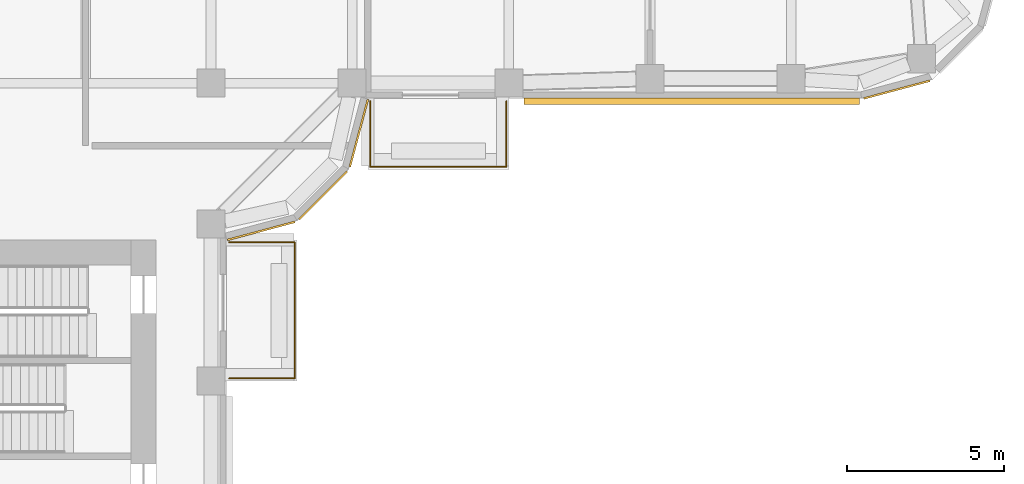
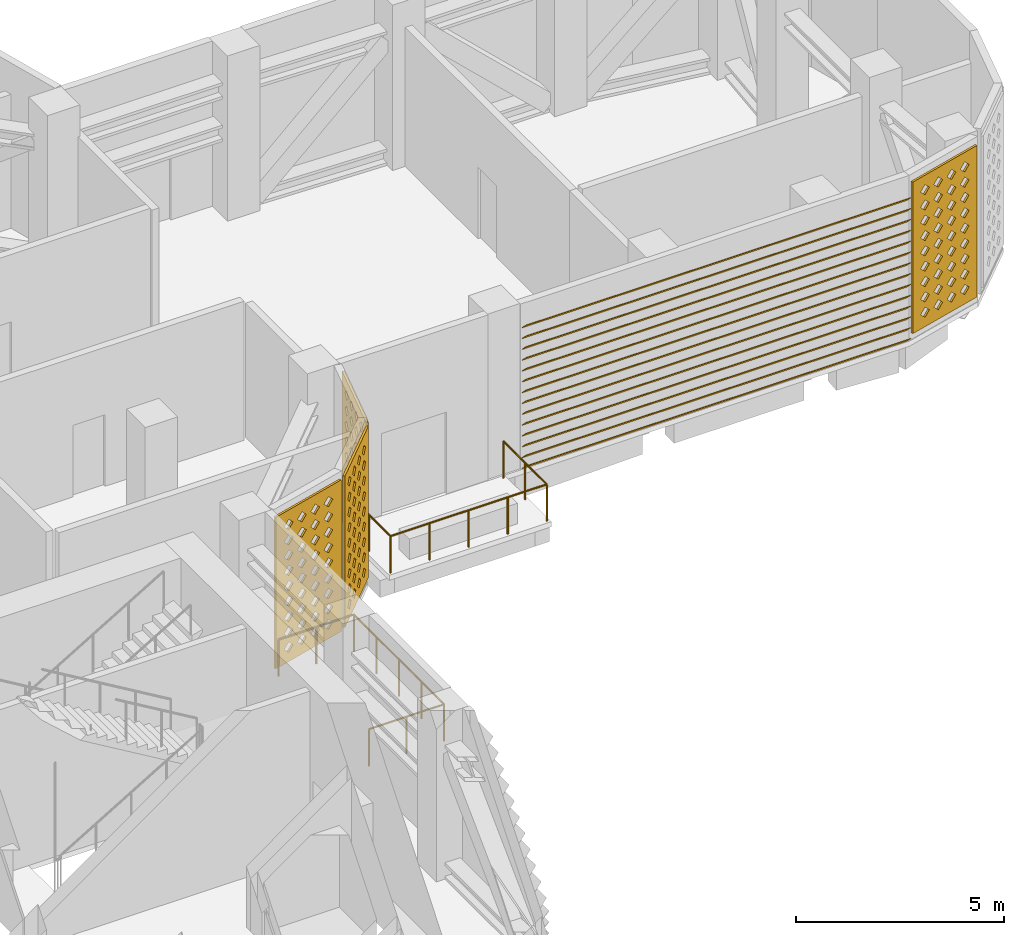
# One storey, part 13 of 20: 4 coverings, 2 railings, 1 shading device.
"""IFC4 building model written with IfcOpenShell, lengths in metres."""

from ifc_helpers import new_model, si_unit, direction, frame, origin, origin_2d, place, context, subcontext, project, spatial, polyline, circle, outline, extrude, source, transform, mapped, material, layer, layer_set, type_object, element, save


model = new_model("IFC4")

# Units and contexts
model_context = context("Model", 3, precision=1e-05, world=origin(), true_north=direction((0.0, 1.0)))
body_context = subcontext(model_context, "Body", "Model", "MODEL_VIEW")
ifc_project = project(units=[si_unit("LENGTHUNIT", "METRE"), si_unit("AREAUNIT", "SQUARE_METRE"), si_unit("VOLUMEUNIT", "CUBIC_METRE"), si_unit("PLANEANGLEUNIT", "RADIAN"), si_unit("MASSUNIT", "GRAM", prefix="KILO")], contexts=[model_context])

# Site, building, storey
site_placement = place(None, origin())
site = spatial("IfcSite", under=ifc_project, at=site_placement, CompositionType="ELEMENT")
building_placement = place(site_placement, origin())
building = spatial("IfcBuilding", under=site, at=building_placement, Name="Zarbagh Exchange Tower", CompositionType="ELEMENT")
storey_placement = place(building_placement, frame((0.0, 0.0, 136.0)))
storey = spatial("IfcBuildingStorey", under=building, at=storey_placement, Name="L32", CompositionType="ELEMENT", Elevation=136.0)

# Railings
ifc_material_1 = material(Name="Stainless steel and laminated glass", Category="steel")
railing_type = type_object("IfcRailingType", Name="Terrace guard, glass balustrade 1.1 m", PredefinedType="GUARDRAIL", material=ifc_material_1)
railing_1_placement = place(storey_placement, frame((6.830078125, -11.330078125, 0.0)))
element("IfcRailing", 1, at=railing_1_placement, inside=storey, type_object=railing_type, Name="TG01 terrace guard", PredefinedType="GUARDRAIL", context=body_context, shape_type="SweptSolid", body=[
    extrude(circle(Radius=0.02490234375, at=origin_2d()), frame((0.0, 0.0, 1.0751953125), z_axis=(1.0, 0.0, 0.0), x_axis=(0.0, 1.0, 0.0)), (0.0, 0.0, 1.0), 2.08984375),
    extrude(circle(Radius=0.02490234375, at=origin_2d()), frame((2.08984375, 0.0, 1.0751953125), z_axis=(0.0, -1.0, 0.0), x_axis=(1.0, 0.0, 0.0)), (0.0, 0.0, 1.0), 4.33984375),
    extrude(circle(Radius=0.02490234375, at=origin_2d()), frame((2.08984375, -4.33984375, 1.0751953125), z_axis=(-1.0, 0.0, 0.0), x_axis=(0.0, -1.0, 0.0)), (0.0, 0.0, 1.0), 2.08984375),
    extrude(circle(Radius=0.02490234375, at=origin_2d()), origin(), (0.0, 0.0, 1.0), 1.050048828125),
    extrude(circle(Radius=0.02490234375, at=origin_2d()), frame((1.044921875, 0.0, 0.0)), (0.0, 0.0, 1.0), 1.050048828125),
    extrude(circle(Radius=0.02490234375, at=origin_2d()), frame((2.08984375, 0.0, 0.0)), (0.0, 0.0, 1.0), 1.050048828125),
    extrude(circle(Radius=0.02490234375, at=origin_2d()), frame((2.08984375, -1.0849609375, 0.0)), (0.0, 0.0, 1.0), 1.050048828125),
    extrude(circle(Radius=0.02490234375, at=origin_2d()), frame((2.08984375, -2.169921875, 0.0)), (0.0, 0.0, 1.0), 1.050048828125),
    extrude(circle(Radius=0.02490234375, at=origin_2d()), frame((2.08984375, -3.2548828125, 0.0)), (0.0, 0.0, 1.0), 1.050048828125),
    extrude(circle(Radius=0.02490234375, at=origin_2d()), frame((2.08984375, -4.33984375, 0.0)), (0.0, 0.0, 1.0), 1.050048828125),
    extrude(circle(Radius=0.02490234375, at=origin_2d()), frame((1.044921875, -4.33984375, 0.0)), (0.0, 0.0, 1.0), 1.050048828125),
    extrude(circle(Radius=0.02490234375, at=origin_2d()), frame((0.0, -4.33984375, 0.0)), (0.0, 0.0, 1.0), 1.050048828125),
])
railing_2_placement = place(storey_placement, frame((15.669921875, -6.830078125, 0.0)))
element("IfcRailing", 2, at=railing_2_placement, inside=storey, type_object=railing_type, Name="TG01 terrace guard", PredefinedType="GUARDRAIL", context=body_context, shape_type="SweptSolid", body=[
    extrude(circle(Radius=0.02490234375, at=origin_2d()), frame((0.0, 0.0, 1.0751953125), z_axis=(0.0, -1.0, 0.0), x_axis=(1.0, 0.0, 0.0)), (0.0, 0.0, 1.0), 2.08984375),
    extrude(circle(Radius=0.02490234375, at=origin_2d()), frame((0.0, -2.08984375, 1.0751953125), z_axis=(-1.0, 0.0, 0.0), x_axis=(0.0, -1.0, 0.0)), (0.0, 0.0, 1.0), 4.33984375),
    extrude(circle(Radius=0.02490234375, at=origin_2d()), frame((-4.33984375, -2.08984375, 1.0751953125), z_axis=(0.0, 1.0, 0.0), x_axis=(-1.0, 0.0, 0.0)), (0.0, 0.0, 1.0), 2.08984375),
    extrude(circle(Radius=0.02490234375, at=origin_2d()), origin(), (0.0, 0.0, 1.0), 1.050048828125),
    extrude(circle(Radius=0.02490234375, at=origin_2d()), frame((0.0, -1.044921875, 0.0)), (0.0, 0.0, 1.0), 1.050048828125),
    extrude(circle(Radius=0.02490234375, at=origin_2d()), frame((0.0, -2.08984375, 0.0)), (0.0, 0.0, 1.0), 1.050048828125),
    extrude(circle(Radius=0.02490234375, at=origin_2d()), frame((-1.0849609375, -2.08984375, 0.0)), (0.0, 0.0, 1.0), 1.050048828125),
    extrude(circle(Radius=0.02490234375, at=origin_2d()), frame((-2.169921875, -2.08984375, 0.0)), (0.0, 0.0, 1.0), 1.050048828125),
    extrude(circle(Radius=0.02490234375, at=origin_2d()), frame((-3.2548828125, -2.08984375, 0.0)), (0.0, 0.0, 1.0), 1.050048828125),
    extrude(circle(Radius=0.02490234375, at=origin_2d()), frame((-4.33984375, -2.08984375, 0.0)), (0.0, 0.0, 1.0), 1.050048828125),
    extrude(circle(Radius=0.02490234375, at=origin_2d()), frame((-4.33984375, -1.044921875, 0.0)), (0.0, 0.0, 1.0), 1.050048828125),
    extrude(circle(Radius=0.02490234375, at=origin_2d()), frame((-4.33984375, 0.0, 0.0)), (0.0, 0.0, 1.0), 1.050048828125),
])

# Coverings
ifc_material_2 = material(Name="Glass-fibre reinforced concrete GFRC C50/60", Category="concrete")
ifc_layer = layer(ifc_material_2, 0.06005859375)
ifc_layer_set = layer_set([ifc_layer], Name="SCREEN jali panel, GFRC")
covering_type = type_object("IfcCoveringType", Name="SCREEN jali panel, GFRC", PredefinedType="CLADDING", material=ifc_layer_set)
shared_shape_1 = source(origin(), body_context, "Body", "SweptSolid", [
    extrude(outline(polyline([(0.0, 0.0), (2.1650390625, 0.0), (2.1650390625, 4.449951171875), (0.0, 4.449951171875), (0.0, 0.0)]), holes=[polyline([(0.257568359375, 0.425048828125), (0.407470703125, 0.27490234375), (0.5576171875, 0.425048828125), (0.407470703125, 0.574951171875), (0.257568359375, 0.425048828125)]), polyline([(0.257568359375, 0.875), (0.407470703125, 0.72509765625), (0.5576171875, 0.875), (0.407470703125, 1.02490234375), (0.257568359375, 0.875)]), polyline([(0.257568359375, 1.324951171875), (0.407470703125, 1.175048828125), (0.5576171875, 1.324951171875), (0.407470703125, 1.47509765625), (0.257568359375, 1.324951171875)]), polyline([(0.257568359375, 1.77490234375), (0.407470703125, 1.625), (0.5576171875, 1.77490234375), (0.407470703125, 1.925048828125), (0.257568359375, 1.77490234375)]), polyline([(0.257568359375, 2.22509765625), (0.407470703125, 2.074951171875), (0.5576171875, 2.22509765625), (0.407470703125, 2.375), (0.257568359375, 2.22509765625)]), polyline([(0.257568359375, 2.675048828125), (0.407470703125, 2.52490234375), (0.5576171875, 2.675048828125), (0.407470703125, 2.824951171875), (0.257568359375, 2.675048828125)]), polyline([(0.257568359375, 3.125), (0.407470703125, 2.97509765625), (0.5576171875, 3.125), (0.407470703125, 3.27490234375), (0.257568359375, 3.125)]), polyline([(0.257568359375, 3.574951171875), (0.407470703125, 3.425048828125), (0.5576171875, 3.574951171875), (0.407470703125, 3.72509765625), (0.257568359375, 3.574951171875)]), polyline([(0.257568359375, 4.02490234375), (0.407470703125, 3.875), (0.5576171875, 4.02490234375), (0.407470703125, 4.175048828125), (0.257568359375, 4.02490234375)]), polyline([(0.70751953125, 0.425048828125), (0.857421875, 0.27490234375), (1.007568359375, 0.425048828125), (0.857421875, 0.574951171875), (0.70751953125, 0.425048828125)]), polyline([(0.70751953125, 0.875), (0.857421875, 0.72509765625), (1.007568359375, 0.875), (0.857421875, 1.02490234375), (0.70751953125, 0.875)]), polyline([(0.70751953125, 1.324951171875), (0.857421875, 1.175048828125), (1.007568359375, 1.324951171875), (0.857421875, 1.47509765625), (0.70751953125, 1.324951171875)]), polyline([(0.70751953125, 1.77490234375), (0.857421875, 1.625), (1.007568359375, 1.77490234375), (0.857421875, 1.925048828125), (0.70751953125, 1.77490234375)]), polyline([(0.70751953125, 2.22509765625), (0.857421875, 2.074951171875), (1.007568359375, 2.22509765625), (0.857421875, 2.375), (0.70751953125, 2.22509765625)]), polyline([(0.70751953125, 2.675048828125), (0.857421875, 2.52490234375), (1.007568359375, 2.675048828125), (0.857421875, 2.824951171875), (0.70751953125, 2.675048828125)]), polyline([(0.70751953125, 3.125), (0.857421875, 2.97509765625), (1.007568359375, 3.125), (0.857421875, 3.27490234375), (0.70751953125, 3.125)]), polyline([(0.70751953125, 3.574951171875), (0.857421875, 3.425048828125), (1.007568359375, 3.574951171875), (0.857421875, 3.72509765625), (0.70751953125, 3.574951171875)]), polyline([(0.70751953125, 4.02490234375), (0.857421875, 3.875), (1.007568359375, 4.02490234375), (0.857421875, 4.175048828125), (0.70751953125, 4.02490234375)]), polyline([(1.157470703125, 0.425048828125), (1.3076171875, 0.27490234375), (1.45751953125, 0.425048828125), (1.3076171875, 0.574951171875), (1.157470703125, 0.425048828125)]), polyline([(1.157470703125, 0.875), (1.3076171875, 0.72509765625), (1.45751953125, 0.875), (1.3076171875, 1.02490234375), (1.157470703125, 0.875)]), polyline([(1.157470703125, 1.324951171875), (1.3076171875, 1.175048828125), (1.45751953125, 1.324951171875), (1.3076171875, 1.47509765625), (1.157470703125, 1.324951171875)]), polyline([(1.157470703125, 1.77490234375), (1.3076171875, 1.625), (1.45751953125, 1.77490234375), (1.3076171875, 1.925048828125), (1.157470703125, 1.77490234375)]), polyline([(1.157470703125, 2.22509765625), (1.3076171875, 2.074951171875), (1.45751953125, 2.22509765625), (1.3076171875, 2.375), (1.157470703125, 2.22509765625)]), polyline([(1.157470703125, 2.675048828125), (1.3076171875, 2.52490234375), (1.45751953125, 2.675048828125), (1.3076171875, 2.824951171875), (1.157470703125, 2.675048828125)]), polyline([(1.157470703125, 3.125), (1.3076171875, 2.97509765625), (1.45751953125, 3.125), (1.3076171875, 3.27490234375), (1.157470703125, 3.125)]), polyline([(1.157470703125, 3.574951171875), (1.3076171875, 3.425048828125), (1.45751953125, 3.574951171875), (1.3076171875, 3.72509765625), (1.157470703125, 3.574951171875)]), polyline([(1.157470703125, 4.02490234375), (1.3076171875, 3.875), (1.45751953125, 4.02490234375), (1.3076171875, 4.175048828125), (1.157470703125, 4.02490234375)]), polyline([(1.607421875, 0.425048828125), (1.757568359375, 0.27490234375), (1.907470703125, 0.425048828125), (1.757568359375, 0.574951171875), (1.607421875, 0.425048828125)]), polyline([(1.607421875, 0.875), (1.757568359375, 0.72509765625), (1.907470703125, 0.875), (1.757568359375, 1.02490234375), (1.607421875, 0.875)]), polyline([(1.607421875, 1.324951171875), (1.757568359375, 1.175048828125), (1.907470703125, 1.324951171875), (1.757568359375, 1.47509765625), (1.607421875, 1.324951171875)]), polyline([(1.607421875, 1.77490234375), (1.757568359375, 1.625), (1.907470703125, 1.77490234375), (1.757568359375, 1.925048828125), (1.607421875, 1.77490234375)]), polyline([(1.607421875, 2.22509765625), (1.757568359375, 2.074951171875), (1.907470703125, 2.22509765625), (1.757568359375, 2.375), (1.607421875, 2.22509765625)]), polyline([(1.607421875, 2.675048828125), (1.757568359375, 2.52490234375), (1.907470703125, 2.675048828125), (1.757568359375, 2.824951171875), (1.607421875, 2.675048828125)]), polyline([(1.607421875, 3.125), (1.757568359375, 2.97509765625), (1.907470703125, 3.125), (1.757568359375, 3.27490234375), (1.607421875, 3.125)]), polyline([(1.607421875, 3.574951171875), (1.757568359375, 3.425048828125), (1.907470703125, 3.574951171875), (1.757568359375, 3.72509765625), (1.607421875, 3.574951171875)]), polyline([(1.607421875, 4.02490234375), (1.757568359375, 3.875), (1.907470703125, 4.02490234375), (1.757568359375, 4.175048828125), (1.607421875, 4.02490234375)])]), origin(), (0.0, 0.0, 1.0), 0.06005859375),
])
placement = place(storey_placement, origin())
element("IfcCovering", 3, at=placement, inside=storey, type_object=covering_type, Name="JS05 jali screen", PredefinedType="CLADDING", context=body_context, shape_type="MappedRepresentation", body=[
    mapped(shared_shape_1, transform((9.0439453125, -10.574951171875, 0.199951171875), x_axis=(0.707106781187, 0.707106781187, 0.0), y_axis=(0.0, 0.0, 1.0), z_axis=(0.707106781187, -0.707106781187, 0.0))),
])
shared_shape_2 = source(origin(), body_context, "Body", "SweptSolid", [
    extrude(outline(polyline([(0.0, 0.0), (2.181396484375, 0.0), (2.181396484375, 4.449951171875), (0.0, 4.449951171875), (0.0, 0.0)]), holes=[polyline([(0.265625, 0.425048828125), (0.415771484375, 0.27490234375), (0.565673828125, 0.425048828125), (0.415771484375, 0.574951171875), (0.265625, 0.425048828125)]), polyline([(0.265625, 0.875), (0.415771484375, 0.72509765625), (0.565673828125, 0.875), (0.415771484375, 1.02490234375), (0.265625, 0.875)]), polyline([(0.265625, 1.324951171875), (0.415771484375, 1.175048828125), (0.565673828125, 1.324951171875), (0.415771484375, 1.47509765625), (0.265625, 1.324951171875)]), polyline([(0.265625, 1.77490234375), (0.415771484375, 1.625), (0.565673828125, 1.77490234375), (0.415771484375, 1.925048828125), (0.265625, 1.77490234375)]), polyline([(0.265625, 2.22509765625), (0.415771484375, 2.074951171875), (0.565673828125, 2.22509765625), (0.415771484375, 2.375), (0.265625, 2.22509765625)]), polyline([(0.265625, 2.675048828125), (0.415771484375, 2.52490234375), (0.565673828125, 2.675048828125), (0.415771484375, 2.824951171875), (0.265625, 2.675048828125)]), polyline([(0.265625, 3.125), (0.415771484375, 2.97509765625), (0.565673828125, 3.125), (0.415771484375, 3.27490234375), (0.265625, 3.125)]), polyline([(0.265625, 3.574951171875), (0.415771484375, 3.425048828125), (0.565673828125, 3.574951171875), (0.415771484375, 3.72509765625), (0.265625, 3.574951171875)]), polyline([(0.265625, 4.02490234375), (0.415771484375, 3.875), (0.565673828125, 4.02490234375), (0.415771484375, 4.175048828125), (0.265625, 4.02490234375)]), polyline([(0.7158203125, 0.425048828125), (0.86572265625, 0.27490234375), (1.015625, 0.425048828125), (0.86572265625, 0.574951171875), (0.7158203125, 0.425048828125)]), polyline([(0.7158203125, 0.875), (0.86572265625, 0.72509765625), (1.015625, 0.875), (0.86572265625, 1.02490234375), (0.7158203125, 0.875)]), polyline([(0.7158203125, 1.324951171875), (0.86572265625, 1.175048828125), (1.015625, 1.324951171875), (0.86572265625, 1.47509765625), (0.7158203125, 1.324951171875)]), polyline([(0.7158203125, 1.77490234375), (0.86572265625, 1.625), (1.015625, 1.77490234375), (0.86572265625, 1.925048828125), (0.7158203125, 1.77490234375)]), polyline([(0.7158203125, 2.22509765625), (0.86572265625, 2.074951171875), (1.015625, 2.22509765625), (0.86572265625, 2.375), (0.7158203125, 2.22509765625)]), polyline([(0.7158203125, 2.675048828125), (0.86572265625, 2.52490234375), (1.015625, 2.675048828125), (0.86572265625, 2.824951171875), (0.7158203125, 2.675048828125)]), polyline([(0.7158203125, 3.125), (0.86572265625, 2.97509765625), (1.015625, 3.125), (0.86572265625, 3.27490234375), (0.7158203125, 3.125)]), polyline([(0.7158203125, 3.574951171875), (0.86572265625, 3.425048828125), (1.015625, 3.574951171875), (0.86572265625, 3.72509765625), (0.7158203125, 3.574951171875)]), polyline([(0.7158203125, 4.02490234375), (0.86572265625, 3.875), (1.015625, 4.02490234375), (0.86572265625, 4.175048828125), (0.7158203125, 4.02490234375)]), polyline([(1.165771484375, 0.425048828125), (1.315673828125, 0.27490234375), (1.4658203125, 0.425048828125), (1.315673828125, 0.574951171875), (1.165771484375, 0.425048828125)]), polyline([(1.165771484375, 0.875), (1.315673828125, 0.72509765625), (1.4658203125, 0.875), (1.315673828125, 1.02490234375), (1.165771484375, 0.875)]), polyline([(1.165771484375, 1.324951171875), (1.315673828125, 1.175048828125), (1.4658203125, 1.324951171875), (1.315673828125, 1.47509765625), (1.165771484375, 1.324951171875)]), polyline([(1.165771484375, 1.77490234375), (1.315673828125, 1.625), (1.4658203125, 1.77490234375), (1.315673828125, 1.925048828125), (1.165771484375, 1.77490234375)]), polyline([(1.165771484375, 2.22509765625), (1.315673828125, 2.074951171875), (1.4658203125, 2.22509765625), (1.315673828125, 2.375), (1.165771484375, 2.22509765625)]), polyline([(1.165771484375, 2.675048828125), (1.315673828125, 2.52490234375), (1.4658203125, 2.675048828125), (1.315673828125, 2.824951171875), (1.165771484375, 2.675048828125)]), polyline([(1.165771484375, 3.125), (1.315673828125, 2.97509765625), (1.4658203125, 3.125), (1.315673828125, 3.27490234375), (1.165771484375, 3.125)]), polyline([(1.165771484375, 3.574951171875), (1.315673828125, 3.425048828125), (1.4658203125, 3.574951171875), (1.315673828125, 3.72509765625), (1.165771484375, 3.574951171875)]), polyline([(1.165771484375, 4.02490234375), (1.315673828125, 3.875), (1.4658203125, 4.02490234375), (1.315673828125, 4.175048828125), (1.165771484375, 4.02490234375)]), polyline([(1.61572265625, 0.425048828125), (1.765625, 0.27490234375), (1.915771484375, 0.425048828125), (1.765625, 0.574951171875), (1.61572265625, 0.425048828125)]), polyline([(1.61572265625, 0.875), (1.765625, 0.72509765625), (1.915771484375, 0.875), (1.765625, 1.02490234375), (1.61572265625, 0.875)]), polyline([(1.61572265625, 1.324951171875), (1.765625, 1.175048828125), (1.915771484375, 1.324951171875), (1.765625, 1.47509765625), (1.61572265625, 1.324951171875)]), polyline([(1.61572265625, 1.77490234375), (1.765625, 1.625), (1.915771484375, 1.77490234375), (1.765625, 1.925048828125), (1.61572265625, 1.77490234375)]), polyline([(1.61572265625, 2.22509765625), (1.765625, 2.074951171875), (1.915771484375, 2.22509765625), (1.765625, 2.375), (1.61572265625, 2.22509765625)]), polyline([(1.61572265625, 2.675048828125), (1.765625, 2.52490234375), (1.915771484375, 2.675048828125), (1.765625, 2.824951171875), (1.61572265625, 2.675048828125)]), polyline([(1.61572265625, 3.125), (1.765625, 2.97509765625), (1.915771484375, 3.125), (1.765625, 3.27490234375), (1.61572265625, 3.125)]), polyline([(1.61572265625, 3.574951171875), (1.765625, 3.425048828125), (1.915771484375, 3.574951171875), (1.765625, 3.72509765625), (1.61572265625, 3.574951171875)]), polyline([(1.61572265625, 4.02490234375), (1.765625, 3.875), (1.915771484375, 4.02490234375), (1.765625, 4.175048828125), (1.61572265625, 4.02490234375)])]), origin(), (0.0, 0.0, 1.0), 0.06005859375),
])
element("IfcCovering", 4, at=placement, inside=storey, type_object=covering_type, Name="JS41 jali screen", PredefinedType="CLADDING", context=body_context, shape_type="MappedRepresentation", body=[
    mapped(shared_shape_2, transform((27.058349609375, -6.713623046875, 0.199951171875), x_axis=(0.965924215207, 0.258825057666, 0.0), y_axis=(0.0, 0.0, 1.0), z_axis=(0.258825057666, -0.965924215207, 0.0))),
])
shared_shape_3 = source(origin(), body_context, "Body", "SweptSolid", [
    extrude(outline(polyline([(0.0, 0.0), (2.225341796875, 0.0), (2.225341796875, 4.449951171875), (0.0, 4.449951171875), (0.0, 0.0)]), holes=[polyline([(0.28759765625, 0.425048828125), (0.437744140625, 0.27490234375), (0.587646484375, 0.425048828125), (0.437744140625, 0.574951171875), (0.28759765625, 0.425048828125)]), polyline([(0.28759765625, 0.875), (0.437744140625, 0.72509765625), (0.587646484375, 0.875), (0.437744140625, 1.02490234375), (0.28759765625, 0.875)]), polyline([(0.28759765625, 1.324951171875), (0.437744140625, 1.175048828125), (0.587646484375, 1.324951171875), (0.437744140625, 1.47509765625), (0.28759765625, 1.324951171875)]), polyline([(0.28759765625, 1.77490234375), (0.437744140625, 1.625), (0.587646484375, 1.77490234375), (0.437744140625, 1.925048828125), (0.28759765625, 1.77490234375)]), polyline([(0.28759765625, 2.22509765625), (0.437744140625, 2.074951171875), (0.587646484375, 2.22509765625), (0.437744140625, 2.375), (0.28759765625, 2.22509765625)]), polyline([(0.28759765625, 2.675048828125), (0.437744140625, 2.52490234375), (0.587646484375, 2.675048828125), (0.437744140625, 2.824951171875), (0.28759765625, 2.675048828125)]), polyline([(0.28759765625, 3.125), (0.437744140625, 2.97509765625), (0.587646484375, 3.125), (0.437744140625, 3.27490234375), (0.28759765625, 3.125)]), polyline([(0.28759765625, 3.574951171875), (0.437744140625, 3.425048828125), (0.587646484375, 3.574951171875), (0.437744140625, 3.72509765625), (0.28759765625, 3.574951171875)]), polyline([(0.28759765625, 4.02490234375), (0.437744140625, 3.875), (0.587646484375, 4.02490234375), (0.437744140625, 4.175048828125), (0.28759765625, 4.02490234375)]), polyline([(0.73779296875, 0.425048828125), (0.8876953125, 0.27490234375), (1.03759765625, 0.425048828125), (0.8876953125, 0.574951171875), (0.73779296875, 0.425048828125)]), polyline([(0.73779296875, 0.875), (0.8876953125, 0.72509765625), (1.03759765625, 0.875), (0.8876953125, 1.02490234375), (0.73779296875, 0.875)]), polyline([(0.73779296875, 1.324951171875), (0.8876953125, 1.175048828125), (1.03759765625, 1.324951171875), (0.8876953125, 1.47509765625), (0.73779296875, 1.324951171875)]), polyline([(0.73779296875, 1.77490234375), (0.8876953125, 1.625), (1.03759765625, 1.77490234375), (0.8876953125, 1.925048828125), (0.73779296875, 1.77490234375)]), polyline([(0.73779296875, 2.22509765625), (0.8876953125, 2.074951171875), (1.03759765625, 2.22509765625), (0.8876953125, 2.375), (0.73779296875, 2.22509765625)]), polyline([(0.73779296875, 2.675048828125), (0.8876953125, 2.52490234375), (1.03759765625, 2.675048828125), (0.8876953125, 2.824951171875), (0.73779296875, 2.675048828125)]), polyline([(0.73779296875, 3.125), (0.8876953125, 2.97509765625), (1.03759765625, 3.125), (0.8876953125, 3.27490234375), (0.73779296875, 3.125)]), polyline([(0.73779296875, 3.574951171875), (0.8876953125, 3.425048828125), (1.03759765625, 3.574951171875), (0.8876953125, 3.72509765625), (0.73779296875, 3.574951171875)]), polyline([(0.73779296875, 4.02490234375), (0.8876953125, 3.875), (1.03759765625, 4.02490234375), (0.8876953125, 4.175048828125), (0.73779296875, 4.02490234375)]), polyline([(1.187744140625, 0.425048828125), (1.337646484375, 0.27490234375), (1.48779296875, 0.425048828125), (1.337646484375, 0.574951171875), (1.187744140625, 0.425048828125)]), polyline([(1.187744140625, 0.875), (1.337646484375, 0.72509765625), (1.48779296875, 0.875), (1.337646484375, 1.02490234375), (1.187744140625, 0.875)]), polyline([(1.187744140625, 1.324951171875), (1.337646484375, 1.175048828125), (1.48779296875, 1.324951171875), (1.337646484375, 1.47509765625), (1.187744140625, 1.324951171875)]), polyline([(1.187744140625, 1.77490234375), (1.337646484375, 1.625), (1.48779296875, 1.77490234375), (1.337646484375, 1.925048828125), (1.187744140625, 1.77490234375)]), polyline([(1.187744140625, 2.22509765625), (1.337646484375, 2.074951171875), (1.48779296875, 2.22509765625), (1.337646484375, 2.375), (1.187744140625, 2.22509765625)]), polyline([(1.187744140625, 2.675048828125), (1.337646484375, 2.52490234375), (1.48779296875, 2.675048828125), (1.337646484375, 2.824951171875), (1.187744140625, 2.675048828125)]), polyline([(1.187744140625, 3.125), (1.337646484375, 2.97509765625), (1.48779296875, 3.125), (1.337646484375, 3.27490234375), (1.187744140625, 3.125)]), polyline([(1.187744140625, 3.574951171875), (1.337646484375, 3.425048828125), (1.48779296875, 3.574951171875), (1.337646484375, 3.72509765625), (1.187744140625, 3.574951171875)]), polyline([(1.187744140625, 4.02490234375), (1.337646484375, 3.875), (1.48779296875, 4.02490234375), (1.337646484375, 4.175048828125), (1.187744140625, 4.02490234375)]), polyline([(1.6376953125, 0.425048828125), (1.78759765625, 0.27490234375), (1.937744140625, 0.425048828125), (1.78759765625, 0.574951171875), (1.6376953125, 0.425048828125)]), polyline([(1.6376953125, 0.875), (1.78759765625, 0.72509765625), (1.937744140625, 0.875), (1.78759765625, 1.02490234375), (1.6376953125, 0.875)]), polyline([(1.6376953125, 1.324951171875), (1.78759765625, 1.175048828125), (1.937744140625, 1.324951171875), (1.78759765625, 1.47509765625), (1.6376953125, 1.324951171875)]), polyline([(1.6376953125, 1.77490234375), (1.78759765625, 1.625), (1.937744140625, 1.77490234375), (1.78759765625, 1.925048828125), (1.6376953125, 1.77490234375)]), polyline([(1.6376953125, 2.22509765625), (1.78759765625, 2.074951171875), (1.937744140625, 2.22509765625), (1.78759765625, 2.375), (1.6376953125, 2.22509765625)]), polyline([(1.6376953125, 2.675048828125), (1.78759765625, 2.52490234375), (1.937744140625, 2.675048828125), (1.78759765625, 2.824951171875), (1.6376953125, 2.675048828125)]), polyline([(1.6376953125, 3.125), (1.78759765625, 2.97509765625), (1.937744140625, 3.125), (1.78759765625, 3.27490234375), (1.6376953125, 3.125)]), polyline([(1.6376953125, 3.574951171875), (1.78759765625, 3.425048828125), (1.937744140625, 3.574951171875), (1.78759765625, 3.72509765625), (1.6376953125, 3.574951171875)]), polyline([(1.6376953125, 4.02490234375), (1.78759765625, 3.875), (1.937744140625, 4.02490234375), (1.78759765625, 4.175048828125), (1.6376953125, 4.02490234375)])]), origin(), (0.0, 0.0, 1.0), 0.06005859375),
])
element("IfcCovering", 5, at=placement, inside=storey, type_object=covering_type, Name="JS04 jali screen", PredefinedType="CLADDING", context=body_context, shape_type="MappedRepresentation", body=[
    mapped(shared_shape_3, transform((6.765869140625, -11.22509765625, 0.199951171875), x_axis=(0.965924215207, 0.258825057666, 0.0), y_axis=(0.0, 0.0, 1.0), z_axis=(0.258825057666, -0.965924215207, 0.0))),
])
element("IfcCovering", 6, at=placement, inside=storey, type_object=covering_type, Name="JS06 jali screen", PredefinedType="CLADDING", context=body_context, shape_type="MappedRepresentation", body=[
    mapped(shared_shape_3, transform((10.64892578125, -8.91552734375, 0.199951171875), x_axis=(0.258825057666, 0.965924215207, 0.0), y_axis=(0.0, 0.0, 1.0), z_axis=(0.965924215207, -0.258825057666, 0.0))),
])

# Shading device
ifc_material_3 = material(Name="Anodised aluminium", Category="aluminium")
shading_device_type = type_object("IfcShadingDeviceType", Name="LOUVRE plant louvre, fixed blades", PredefinedType="USERDEFINED", material=ifc_material_3)
shared_shape_4 = source(origin(), body_context, "Body", "SweptSolid", [
    extrude(outline(polyline([(0.0, 0.199951171875), (0.199951171875, 0.0), (0.199951171875, -0.02001953125), (0.0, 0.179931640625), (0.0, 0.199951171875)])), origin(), (0.0, 0.0, 1.0), 10.694091796875),
])
element("IfcShadingDevice", 7, at=placement, inside=storey, type_object=shading_device_type, Name="LV09 plant louvre", ObjectType="LOUVRE", PredefinedType="USERDEFINED", context=body_context, shape_type="MappedRepresentation", body=[
    mapped(shared_shape_4, transform((16.239990234375, -6.72998046875, 0.199951171875), x_axis=(0.0, -1.0, 0.0), y_axis=(0.0, 0.0, -1.0), z_axis=(1.0, 0.0, 0.0))),
    mapped(shared_shape_4, transform((16.239990234375, -6.72998046875, 0.517822265625), x_axis=(0.0, -1.0, 0.0), y_axis=(0.0, 0.0, -1.0), z_axis=(1.0, 0.0, 0.0))),
    mapped(shared_shape_4, transform((16.239990234375, -6.72998046875, 0.835693359375), x_axis=(0.0, -1.0, 0.0), y_axis=(0.0, 0.0, -1.0), z_axis=(1.0, 0.0, 0.0))),
    mapped(shared_shape_4, transform((16.239990234375, -6.72998046875, 1.153564453125), x_axis=(0.0, -1.0, 0.0), y_axis=(0.0, 0.0, -1.0), z_axis=(1.0, 0.0, 0.0))),
    mapped(shared_shape_4, transform((16.239990234375, -6.72998046875, 1.471435546875), x_axis=(0.0, -1.0, 0.0), y_axis=(0.0, 0.0, -1.0), z_axis=(1.0, 0.0, 0.0))),
    mapped(shared_shape_4, transform((16.239990234375, -6.72998046875, 1.789306640625), x_axis=(0.0, -1.0, 0.0), y_axis=(0.0, 0.0, -1.0), z_axis=(1.0, 0.0, 0.0))),
    mapped(shared_shape_4, transform((16.239990234375, -6.72998046875, 2.107177734375), x_axis=(0.0, -1.0, 0.0), y_axis=(0.0, 0.0, -1.0), z_axis=(1.0, 0.0, 0.0))),
    mapped(shared_shape_4, transform((16.239990234375, -6.72998046875, 2.425048828125), x_axis=(0.0, -1.0, 0.0), y_axis=(0.0, 0.0, -1.0), z_axis=(1.0, 0.0, 0.0))),
    mapped(shared_shape_4, transform((16.239990234375, -6.72998046875, 2.742919921875), x_axis=(0.0, -1.0, 0.0), y_axis=(0.0, 0.0, -1.0), z_axis=(1.0, 0.0, 0.0))),
    mapped(shared_shape_4, transform((16.239990234375, -6.72998046875, 3.060791015625), x_axis=(0.0, -1.0, 0.0), y_axis=(0.0, 0.0, -1.0), z_axis=(1.0, 0.0, 0.0))),
    mapped(shared_shape_4, transform((16.239990234375, -6.72998046875, 3.378662109375), x_axis=(0.0, -1.0, 0.0), y_axis=(0.0, 0.0, -1.0), z_axis=(1.0, 0.0, 0.0))),
    mapped(shared_shape_4, transform((16.239990234375, -6.72998046875, 3.696533203125), x_axis=(0.0, -1.0, 0.0), y_axis=(0.0, 0.0, -1.0), z_axis=(1.0, 0.0, 0.0))),
    mapped(shared_shape_4, transform((16.239990234375, -6.72998046875, 4.014404296875), x_axis=(0.0, -1.0, 0.0), y_axis=(0.0, 0.0, -1.0), z_axis=(1.0, 0.0, 0.0))),
    mapped(shared_shape_4, transform((16.239990234375, -6.72998046875, 4.33203125), x_axis=(0.0, -1.0, 0.0), y_axis=(0.0, 0.0, -1.0), z_axis=(1.0, 0.0, 0.0))),
])

save(model, "model.ifc")
